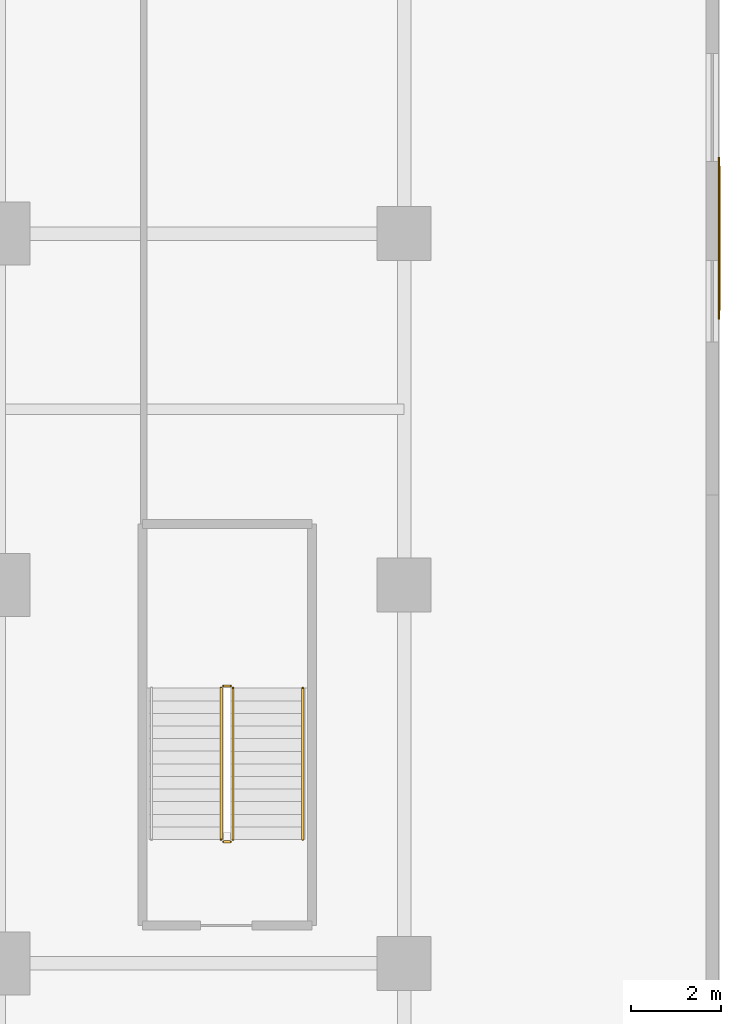
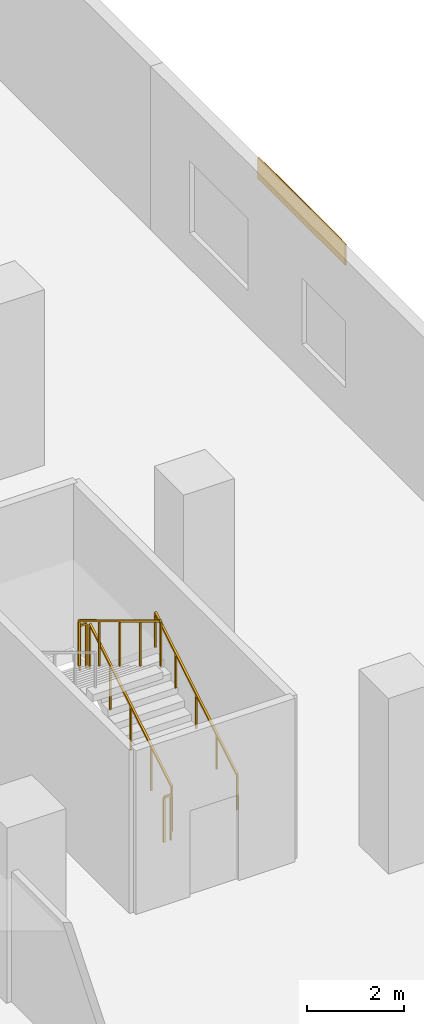
# One storey, part 21 of 22: 5 railings, 1 covering, 1 shading device.
"""IFC4 building model written with IfcOpenShell, lengths in metres."""

import ifcopenshell
import ifcopenshell.guid

model = None  # the IFC model being written
_history = None  # IfcOwnerHistory: only IFC2X3 demands one
_inside = {}  # id of a spatial element -> (the spatial element, [elements in it])
_under = {}  # id of a project, library or spatial element -> (it, [spatial elements below it])
_declared = {}  # id of a project -> (the project, [libraries it declares])
_typed = {}  # id of a type object -> (the type object, [elements of that type])
_made_of = {}  # id of a material, layer set ... -> (it, [elements and type objects made of it])


def new_model(schema):
    """Start an empty IFC model of exactly this schema.

    Asked for "IFC4X3", IfcOpenShell would pick the latest addendum, in which some entities
    have other attributes; the version numbers below select the first issue.
    IFC2X3 requires an IfcOwnerHistory on every rooted entity: one is made here for all.
    """
    global model, _history
    if schema == "IFC4X3":
        model = ifcopenshell.file(schema_version=(4, 3, 0, 0))
    else:
        model = ifcopenshell.file(schema=schema)
    _inside.clear()
    _under.clear()
    _declared.clear()
    _typed.clear()
    _made_of.clear()
    _history = None
    if model.schema == "IFC2X3":
        org = make("IfcOrganization", Name="unknown")
        user = make(
            "IfcPersonAndOrganization",
            ThePerson=make("IfcPerson", FamilyName="unknown"),
            TheOrganization=org,
        )
        app = make(
            "IfcApplication",
            ApplicationDeveloper=org,
            Version="unknown",
            ApplicationFullName="unknown",
            ApplicationIdentifier="unknown",
        )
        _history = make(
            "IfcOwnerHistory",
            OwningUser=user,
            OwningApplication=app,
            ChangeAction="ADDED",
            CreationDate=0,
        )
    return model


def make(cls, **values):
    """One entity of the class cls with the attributes given. An attribute that is None is left unset."""
    return model.create_entity(
        cls, **{name: value for name, value in values.items() if value is not None}
    )


def rooted(cls, **values):
    """An entity with a GlobalId (a new one), such as an element, a storey or a relation."""
    return make(cls, GlobalId=ifcopenshell.guid.new(), OwnerHistory=_history, **values)


def si_unit(unit_type, name, prefix=None):
    """IfcSIUnit, for example si_unit("LENGTHUNIT", "METRE", prefix="MILLI")."""
    return make("IfcSIUnit", UnitType=unit_type, Prefix=prefix, Name=name)


def assignment(units):
    """IfcUnitAssignment: the units of a project."""
    return None if units is None else make("IfcUnitAssignment", Units=units)


def point(xyz):
    """IfcCartesianPoint."""
    return None if xyz is None else make("IfcCartesianPoint", Coordinates=xyz)


def direction(xyz):
    """IfcDirection."""
    return None if xyz is None else make("IfcDirection", DirectionRatios=xyz)


def frame(location, z_axis=None, x_axis=None):
    """IfcAxis2Placement3D, a coordinate frame: its origin and axes. An axis left out is left unset."""
    return make(
        "IfcAxis2Placement3D",
        Location=point(location),
        Axis=direction(z_axis),
        RefDirection=direction(x_axis),
    )


def frame_2d(location, x_axis=None):
    """IfcAxis2Placement2D, a coordinate frame in the plane: its origin and x axis."""
    return make(
        "IfcAxis2Placement2D", Location=point(location), RefDirection=direction(x_axis)
    )


def origin():
    """The frame at (0, 0, 0) with its axes left unset."""
    return frame((0.0, 0.0, 0.0))


def origin_2d():
    """The frame at (0, 0) in the plane with its x axis left unset."""
    return frame_2d((0.0, 0.0))


def place(relative_to, where):
    """IfcLocalPlacement: puts the frame where relative to a parent placement (None: the world)."""
    return make(
        "IfcLocalPlacement", PlacementRelTo=relative_to, RelativePlacement=where
    )


def context(
    kind, dimensions, precision=None, world=None, true_north=None, identifier=None
):
    """IfcGeometricRepresentationContext, for example the 3D "Model" context."""
    return make(
        "IfcGeometricRepresentationContext",
        ContextIdentifier=identifier,
        ContextType=kind,
        CoordinateSpaceDimension=dimensions,
        Precision=precision,
        WorldCoordinateSystem=world,
        TrueNorth=true_north,
    )


def subcontext(parent, identifier, kind, view, scale=None):
    """IfcGeometricRepresentationSubContext, for example "Body" below "Model"."""
    return make(
        "IfcGeometricRepresentationSubContext",
        ContextIdentifier=identifier,
        ContextType=kind,
        ParentContext=parent,
        TargetScale=scale,
        TargetView=view,
    )


def project(units=None, contexts=None):
    """IfcProject with its units and contexts."""
    return rooted(
        "IfcProject",
        Name="project",
        RepresentationContexts=contexts,
        UnitsInContext=assignment(units),
    )


def spatial(cls, under=None, at=None, **own):
    """A site, building, storey or space (cls), placed at a placement, below another one or the project."""
    s = rooted(cls, ObjectPlacement=at, **own)
    if under is not None:
        _under.setdefault(under.id(), (under, []))[1].append(s)
    return s


def profile(cls, at=None, kind="AREA", **sizes):
    """A parametric profile (cls). Its sizes go by their IFC names, for example OverallWidth=200.0."""
    return make(cls, ProfileType=kind, Position=at, **sizes)


def rectangle(**sizes):
    """IfcRectangleProfileDef."""
    return profile("IfcRectangleProfileDef", **sizes)


def extrude(swept, where, along, depth):
    """IfcExtrudedAreaSolid: the profile swept, set in the frame where, extruded along a direction by depth."""
    return make(
        "IfcExtrudedAreaSolid",
        SweptArea=swept,
        Position=where,
        ExtrudedDirection=direction(along),
        Depth=depth,
    )


def shape(context_of_items, identifier, shape_type, items):
    """IfcShapeRepresentation: the items that make up one representation, for example the "Body"."""
    return make(
        "IfcShapeRepresentation",
        ContextOfItems=context_of_items,
        RepresentationIdentifier=identifier,
        RepresentationType=shape_type,
        Items=items,
    )


def source(mapping_origin, context_of_items, identifier, shape_type, items):
    """IfcRepresentationMap: a shape defined once, which mapped items show again and again."""
    return make(
        "IfcRepresentationMap",
        MappingOrigin=mapping_origin,
        MappedRepresentation=shape(context_of_items, identifier, shape_type, items),
    )


def transform(
    local_origin,
    x_axis=None,
    y_axis=None,
    z_axis=None,
    scale=None,
    scale2=None,
    scale3=None,
    uniform=True,
):
    """IfcCartesianTransformationOperator3D, or its non-uniform kind. x_axis, y_axis, z_axis: its Axis1, 2, 3."""
    if uniform:
        return make(
            "IfcCartesianTransformationOperator3D",
            Axis1=direction(x_axis),
            Axis2=direction(y_axis),
            LocalOrigin=point(local_origin),
            Scale=scale,
            Axis3=direction(z_axis),
        )
    return make(
        "IfcCartesianTransformationOperator3DnonUniform",
        Axis1=direction(x_axis),
        Axis2=direction(y_axis),
        LocalOrigin=point(local_origin),
        Scale=scale,
        Axis3=direction(z_axis),
        Scale2=scale2,
        Scale3=scale3,
    )


def mapped(mapping_source, mapping_target):
    """IfcMappedItem: shows the shape of a source again, moved by a transform."""
    return make(
        "IfcMappedItem", MappingSource=mapping_source, MappingTarget=mapping_target
    )


def material(Name=None, Category=None):
    """IfcMaterial."""
    return make("IfcMaterial", Name=Name, Category=Category)


def layer(
    of_material, thickness, ventilated=None, Name=None, Category=None, Priority=None
):
    """IfcMaterialLayer: one layer of a wall or slab, of a material (None: an air gap)."""
    return make(
        "IfcMaterialLayer",
        Material=of_material,
        LayerThickness=thickness,
        IsVentilated=ventilated,
        Name=Name,
        Category=Category,
        Priority=Priority,
    )


def layer_set(layers, Name=None):
    """IfcMaterialLayerSet."""
    return make("IfcMaterialLayerSet", MaterialLayers=layers, LayerSetName=Name)


def made_of(thing, what):
    """Note that an element or type object is made of a material, layer set ...; save() writes the relation."""
    if what is not None:
        _made_of.setdefault(what.id(), (what, []))[1].append(thing)
    return thing


def type_object(cls, material=None, **own):
    """A type object (cls), such as IfcWallType, which elements share."""
    return made_of(rooted(cls, **own), material)


def element(
    cls,
    number,
    at=None,
    inside=None,
    cuts=None,
    type_object=None,
    material=None,
    context=None,
    identifier="Body",
    shape_type=None,
    held_by="IfcProductDefinitionShape",
    body=None,
    shapes=None,
    **own,
):
    """One element of the class cls, such as IfcWall. Its Tag is "e" and its number.

    at: its placement. inside: the storey or other place that contains it. cuts: it is an
    opening in that element (IfcRelVoidsElement). A single representation is given by context,
    identifier, shape_type and body (its items); several are given by shapes. held_by: the class
    of the entity that holds the representations. save() writes the other relations.
    """
    e = rooted(cls, Tag="e%d" % number, ObjectPlacement=at, **own)
    if body is not None:
        shapes = [shape(context, identifier, shape_type, body)]
    if shapes is not None:
        e.Representation = make(held_by, Representations=shapes)
    if inside is not None:
        _inside.setdefault(inside.id(), (inside, []))[1].append(e)
    if cuts is not None:
        rooted(
            "IfcRelVoidsElement", RelatingBuildingElement=cuts, RelatedOpeningElement=e
        )
    if type_object is not None:
        _typed.setdefault(type_object.id(), (type_object, []))[1].append(e)
    return made_of(e, material)


def aggregate(whole, parts):
    """IfcRelAggregates: a whole, such as a stair, and the parts it consists of."""
    return rooted("IfcRelAggregates", RelatingObject=whole, RelatedObjects=parts)


def save(model, path):
    """Write the relations noted so far, then the file.

    IfcRelAggregates (storeys below a building ...), IfcRelContainedInSpatialStructure (elements
    in a storey), IfcRelDefinesByType, IfcRelAssociatesMaterial and IfcRelDeclares: one each for
    every whole, place, type object, material and project.
    """
    for whole, parts in _under.values():
        aggregate(whole, parts)
    for where, things in _inside.values():
        rooted(
            "IfcRelContainedInSpatialStructure",
            RelatedElements=things,
            RelatingStructure=where,
        )
    for kind, things in _typed.values():
        rooted("IfcRelDefinesByType", RelatedObjects=things, RelatingType=kind)
    for what, things in _made_of.values():
        rooted("IfcRelAssociatesMaterial", RelatedObjects=things, RelatingMaterial=what)
    for by, libraries in _declared.values():
        rooted("IfcRelDeclares", RelatingContext=by, RelatedDefinitions=libraries)
    model.write(path)


model = new_model("IFC4")

# Units and contexts
model_context = context("Model", 3, precision=1e-05, world=origin(), true_north=direction((0.0, 1.0)))
body_context = subcontext(model_context, "Body", "Model", "MODEL_VIEW")
ifc_project = project(units=[si_unit("LENGTHUNIT", "METRE"), si_unit("AREAUNIT", "SQUARE_METRE"), si_unit("VOLUMEUNIT", "CUBIC_METRE"), si_unit("PLANEANGLEUNIT", "RADIAN"), si_unit("MASSUNIT", "GRAM", prefix="KILO")], contexts=[model_context])

# Site, building, storey
site_placement = place(None, origin())
site = spatial("IfcSite", under=ifc_project, at=site_placement, CompositionType="ELEMENT")
building_placement = place(site_placement, origin())
building = spatial("IfcBuilding", under=site, at=building_placement, Name="Zarnakvel Exchange Tower", CompositionType="ELEMENT")
storey_placement = place(building_placement, frame((0.0, 0.0, 9.39990234375)))
storey = spatial("IfcBuildingStorey", under=building, at=storey_placement, Name="L02", CompositionType="ELEMENT", Elevation=9.39990234375)

# Railings
ifc_material_1 = material(Name="Brushed Stainless Steel", Category="steel")
railing_type_1 = type_object("IfcRailingType", Name="HR-01", PredefinedType="HANDRAIL", material=ifc_material_1)
railing_1_placement = place(storey_placement, frame((28.35009765625, -6.85009765625, 0.16943359375)))
element("IfcRailing", 1, at=railing_1_placement, inside=storey, type_object=railing_type_1, Name="L02 ST-04 stair handrail 1", PredefinedType="HANDRAIL", context=body_context, shape_type="SweptSolid", body=[
    extrude(rectangle(XDim=0.048095703125, YDim=0.048095703125, at=origin_2d()), frame((0.0, 0.0, 0.8759765625), z_axis=(0.0, 0.855836976705, 0.517245656632), x_axis=(-1.0, 0.0, 0.0)), (0.0, 0.0, 1.0), 3.926025390625),
    extrude(rectangle(XDim=0.0419921875, YDim=0.0419921875, at=origin_2d()), origin(), (0.0, 0.0, 1.0), 0.851806640625),
    extrude(rectangle(XDim=0.0419921875, YDim=0.0419921875, at=origin_2d()), frame((0.0, 0.840087890625, 0.5078125)), (0.0, 0.0, 1.0), 0.851806640625),
    extrude(rectangle(XDim=0.0419921875, YDim=0.0419921875, at=origin_2d()), frame((0.0, 1.68017578125, 1.015380859375)), (0.0, 0.0, 1.0), 0.851806640625),
    extrude(rectangle(XDim=0.0419921875, YDim=0.0419921875, at=origin_2d()), frame((0.0, 2.52001953125, 1.52294921875)), (0.0, 0.0, 1.0), 0.851806640625),
    extrude(rectangle(XDim=0.0419921875, YDim=0.0419921875, at=origin_2d()), frame((0.0, 3.360107421875, 2.03076171875)), (0.0, 0.0, 1.0), 0.851806640625),
])
ifc_material_2 = material(Name="Architectural Bronze Anodised Aluminium", Category="aluminium")
railing_type_2 = type_object("IfcRailingType", Name="SG-01", PredefinedType="GUARDRAIL", material=ifc_material_2)
railing_2_placement = place(storey_placement, frame((26.800048828125, -6.85009765625, 0.16943359375)))
element("IfcRailing", 2, at=railing_2_placement, inside=storey, type_object=railing_type_2, Name="L02 ST-04 stair guard 1", PredefinedType="GUARDRAIL", context=body_context, shape_type="SweptSolid", body=[
    extrude(rectangle(XDim=0.048095703125, YDim=0.048095703125, at=origin_2d()), frame((0.0, 0.0, 1.1259765625), z_axis=(0.0, 0.855836976705, 0.517245656632), x_axis=(-1.0, 0.0, 0.0)), (0.0, 0.0, 1.0), 3.926025390625),
    extrude(rectangle(XDim=0.0419921875, YDim=0.0419921875, at=origin_2d()), origin(), (0.0, 0.0, 1.0), 1.101806640625),
    extrude(rectangle(XDim=0.0419921875, YDim=0.0419921875, at=origin_2d()), frame((0.0, 0.840087890625, 0.5078125)), (0.0, 0.0, 1.0), 1.101806640625),
    extrude(rectangle(XDim=0.0419921875, YDim=0.0419921875, at=origin_2d()), frame((0.0, 1.68017578125, 1.015380859375)), (0.0, 0.0, 1.0), 1.101806640625),
    extrude(rectangle(XDim=0.0419921875, YDim=0.0419921875, at=origin_2d()), frame((0.0, 2.52001953125, 1.52294921875)), (0.0, 0.0, 1.0), 1.101806640625),
    extrude(rectangle(XDim=0.0419921875, YDim=0.0419921875, at=origin_2d()), frame((0.0, 3.360107421875, 2.03076171875)), (0.0, 0.0, 1.0), 1.101806640625),
])
railing_3_placement = place(storey_placement, frame((26.75, -3.43994140625, 2.2001953125)))
element("IfcRailing", 3, at=railing_3_placement, inside=storey, type_object=railing_type_2, Name="L02 ST-04 stair guard 2", PredefinedType="GUARDRAIL", context=body_context, shape_type="SweptSolid", body=[
    extrude(rectangle(XDim=0.048095703125, YDim=0.048095703125, at=origin_2d()), frame((0.0, 0.0, 1.1259765625), z_axis=(-1.0, 0.0, 0.0), x_axis=(0.0, -1.0, 0.0)), (0.0, 0.0, 1.0), 0.159912109375),
    extrude(rectangle(XDim=0.0419921875, YDim=0.0419921875, at=origin_2d()), origin(), (0.0, 0.0, 1.0), 1.101806640625),
    extrude(rectangle(XDim=0.0419921875, YDim=0.0419921875, at=origin_2d()), frame((-0.159912109375, 0.0, 0.0)), (0.0, 0.0, 1.0), 1.101806640625),
])
railing_4_placement = place(storey_placement, frame((26.5400390625, -3.489990234375, 2.369384765625)))
element("IfcRailing", 4, at=railing_4_placement, inside=storey, type_object=railing_type_2, Name="L02 ST-04 stair guard 3", PredefinedType="GUARDRAIL", context=body_context, shape_type="SweptSolid", body=[
    extrude(rectangle(XDim=0.048095703125, YDim=0.048095703125, at=origin_2d()), frame((0.0, 0.0, 1.1259765625), z_axis=(0.0, -0.855836976705, 0.517245656632), x_axis=(1.0, 0.0, 0.0)), (0.0, 0.0, 1.0), 3.926025390625),
    extrude(rectangle(XDim=0.0419921875, YDim=0.0419921875, at=origin_2d()), origin(), (0.0, 0.0, 1.0), 1.101806640625),
    extrude(rectangle(XDim=0.0419921875, YDim=0.0419921875, at=origin_2d()), frame((0.0, -0.840087890625, 0.5078125)), (0.0, 0.0, 1.0), 1.101806640625),
    extrude(rectangle(XDim=0.0419921875, YDim=0.0419921875, at=origin_2d()), frame((0.0, -1.68017578125, 1.015380859375)), (0.0, 0.0, 1.0), 1.101806640625),
    extrude(rectangle(XDim=0.0419921875, YDim=0.0419921875, at=origin_2d()), frame((0.0, -2.52001953125, 1.52294921875)), (0.0, 0.0, 1.0), 1.101806640625),
    extrude(rectangle(XDim=0.0419921875, YDim=0.0419921875, at=origin_2d()), frame((0.0, -3.360107421875, 2.03076171875)), (0.0, 0.0, 1.0), 1.101806640625),
])
railing_5_placement = place(storey_placement, frame((26.75, -6.89990234375, 0.0)))
element("IfcRailing", 5, at=railing_5_placement, inside=storey, type_object=railing_type_2, Name="L02 ST-04 stair guard 4", PredefinedType="GUARDRAIL", context=body_context, shape_type="SweptSolid", body=[
    extrude(rectangle(XDim=0.048095703125, YDim=0.048095703125, at=origin_2d()), frame((0.0, 0.0, 1.1259765625), z_axis=(-1.0, 0.0, 0.0), x_axis=(0.0, -1.0, 0.0)), (0.0, 0.0, 1.0), 0.159912109375),
    extrude(rectangle(XDim=0.0419921875, YDim=0.0419921875, at=origin_2d()), origin(), (0.0, 0.0, 1.0), 1.101806640625),
    extrude(rectangle(XDim=0.0419921875, YDim=0.0419921875, at=origin_2d()), frame((-0.159912109375, 0.0, 0.0)), (0.0, 0.0, 1.0), 1.101806640625),
])

# Shading device
ifc_material_3 = material(Name="Perforated Architectural Bronze Screen", Category="aluminium")
ifc_layer_1 = layer(ifc_material_3, 0.044921875)
ifc_layer_set_1 = layer_set([ifc_layer_1], Name="Perforated Architectural Bronze Screen")
shading_device_type = type_object("IfcShadingDeviceType", Name="SS-01", PredefinedType="JALOUSIE", material=ifc_layer_set_1)
shared_shape_1 = source(origin(), body_context, "Body", "SweptSolid", [
    extrude(rectangle(XDim=3.199951171875, YDim=0.044921875, at=origin_2d()), origin(), (0.0, 0.0, 1.0), 0.52001953125),
])
shading_device_placement = place(storey_placement, frame((37.6005859375, 6.5, 3.56005859375), z_axis=(0.0, 0.0, 1.0), x_axis=(0.0, -1.0, 0.0)))
element("IfcShadingDevice", 6, at=shading_device_placement, inside=storey, type_object=shading_device_type, Name="L02 Bronze Solar Shading Screen SS-01", PredefinedType="JALOUSIE", context=body_context, shape_type="MappedRepresentation", body=[
    mapped(shared_shape_1, transform((0.0, 0.0, 0.0), x_axis=(1.0, 0.0, 0.0), y_axis=(0.0, 1.0, 0.0), z_axis=(0.0, 0.0, 1.0), scale=1.0)),
])

# Covering
ifc_material_4 = material(Name="Warm Sandstone Terracotta Spandrel Tile", Category="masonry")
ifc_layer_2 = layer(ifc_material_4, 0.031982421875)
ifc_layer_set_2 = layer_set([ifc_layer_2], Name="Warm Sandstone Terracotta Spandrel Tile")
covering_type = type_object("IfcCoveringType", Name="CL-02", PredefinedType="CLADDING", material=ifc_layer_set_2)
shared_shape_2 = source(origin(), body_context, "Body", "SweptSolid", [
    extrude(rectangle(XDim=3.60009765625, YDim=0.031982421875, at=origin_2d()), origin(), (0.0, 0.0, 1.0), 0.52001953125),
])
covering_placement = place(storey_placement, frame((37.593994140625, 6.5, 3.56005859375), z_axis=(0.0, 0.0, 1.0), x_axis=(0.0, -1.0, 0.0)))
element("IfcCovering", 7, at=covering_placement, inside=storey, type_object=covering_type, Name="L02 Ceramic Spandrel Tilework CL-02", PredefinedType="CLADDING", context=body_context, shape_type="MappedRepresentation", body=[
    mapped(shared_shape_2, transform((0.0, 0.0, 0.0), x_axis=(1.0, 0.0, 0.0), y_axis=(0.0, 1.0, 0.0), z_axis=(0.0, 0.0, 1.0), scale=1.0)),
])

save(model, "model.ifc")
